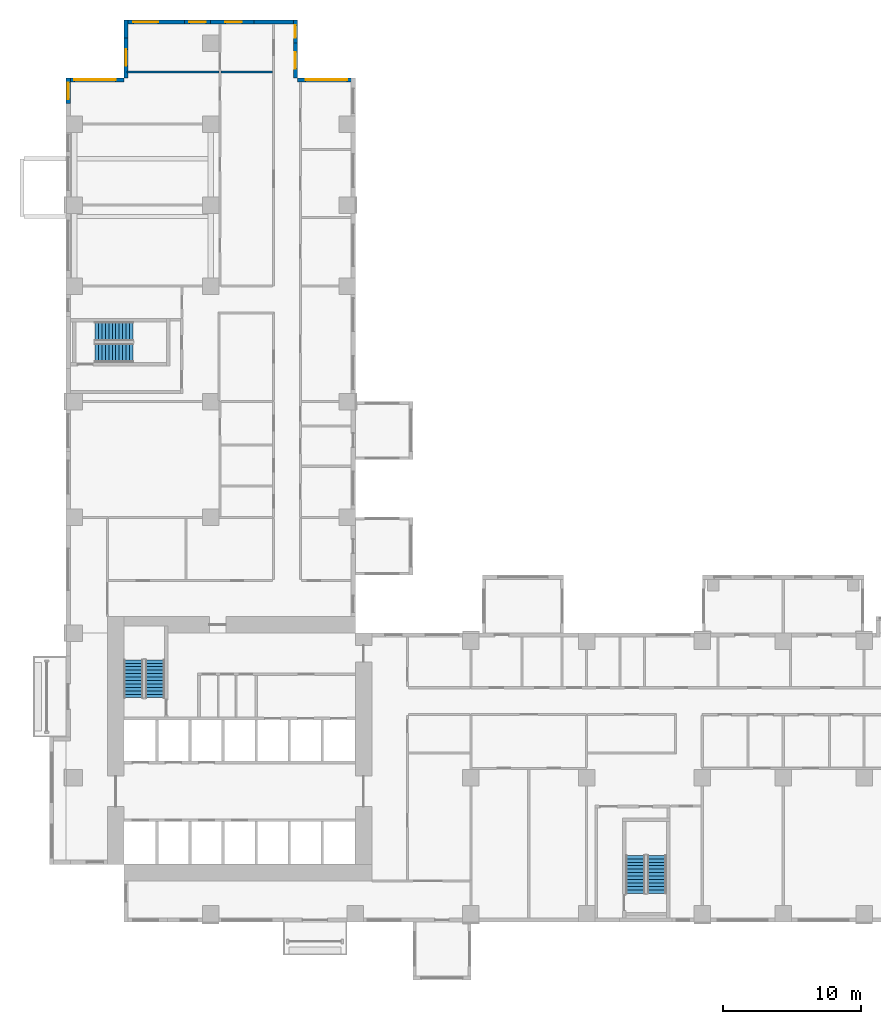
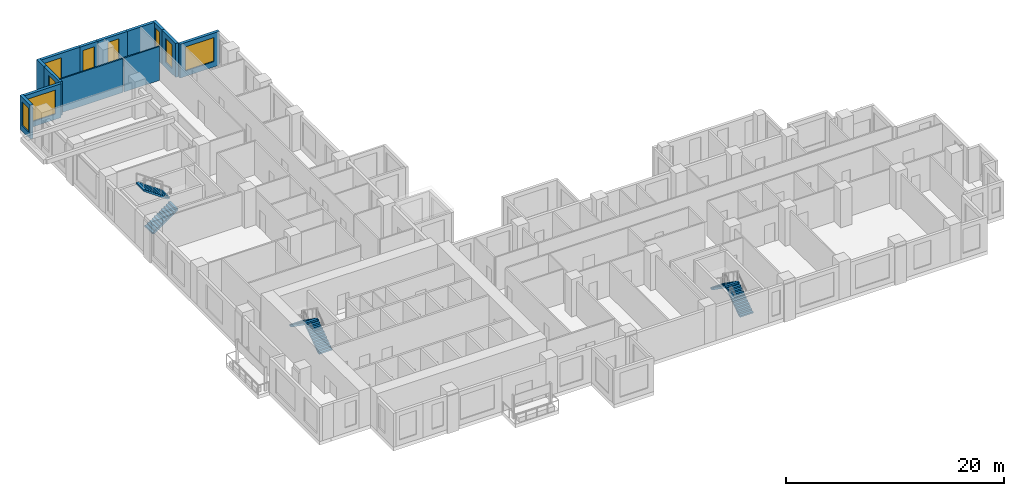
# One storey, part 10 of 15: 13 walls, 9 windows, 6 stair flights, 9 openings, 3 elements without a shape of their own.
"""IFC4 building model written with IfcOpenShell, lengths in metres."""

from ifc_helpers import new_model, si_unit, direction, frame, frame_2d, origin, place, context, subcontext, project, spatial, polyline, rectangle, outline, extrude, source, transform, mapped, material, layer, layer_set, type_object, element, fill, aggregate, save


model = new_model("IFC4")

# Units and contexts
model_context = context("Model", 3, precision=1e-05, world=origin(), true_north=direction((0.0, 1.0)))
body_context = subcontext(model_context, "Body", "Model", "MODEL_VIEW")
ifc_project = project(units=[si_unit("LENGTHUNIT", "METRE"), si_unit("AREAUNIT", "SQUARE_METRE"), si_unit("VOLUMEUNIT", "CUBIC_METRE"), si_unit("PLANEANGLEUNIT", "RADIAN"), si_unit("MASSUNIT", "GRAM", prefix="KILO")], contexts=[model_context])

# Site, building, storey
site_placement = place(None, origin())
site = spatial("IfcSite", under=ifc_project, at=site_placement, CompositionType="ELEMENT")
building_placement = place(site_placement, origin())
building = spatial("IfcBuilding", under=site, at=building_placement, Name="Aurelian Terraces", CompositionType="ELEMENT")
storey_placement = place(building_placement, frame((0.0, 0.0, 65.7)))
storey = spatial("IfcBuildingStorey", under=building, at=storey_placement, Name="L13", CompositionType="ELEMENT", Elevation=65.7)

# Wall, opening, window
ifc_material_1 = material(Name="Terracotta rainscreen cladding", Category="masonry")
ifc_layer_1 = layer(ifc_material_1, 0.3)
ifc_layer_set_1 = layer_set([ifc_layer_1], Name="EW-300")
wall_type_1 = type_object("IfcWallType", Name="EW-300", PredefinedType="STANDARD", material=ifc_layer_set_1)
wall_1_placement = place(storey_placement, frame((10.5, 65.37, 0.0), z_axis=(0.0, 0.0, 1.0), x_axis=(-1.0, 0.0, 0.0)))
wall_1 = element("IfcWall", 1, at=wall_1_placement, inside=storey, type_object=wall_type_1, Name="External wall L13 F11.35", PredefinedType="STANDARD", context=body_context, shape_type="SweptSolid", body=[
    extrude(rectangle(XDim=1.9, YDim=0.3, at=frame_2d((0.95, 0.0))), origin(), (0.0, 0.0, 1.0), 3.8),
])
shared_shape_1 = source(origin(), body_context, "Body", "SweptSolid", [
    extrude(rectangle(XDim=1.2, YDim=2.7, at=frame_2d((0.6, 1.35))), frame((0.0, 0.16, 0.0), z_axis=(0.0, -1.0, 0.0), x_axis=(1.0, 0.0, 0.0)), (0.0, 0.0, 1.0), 0.32),
])
opening_1_placement = place(wall_1_placement, frame((0.35, 0.0, 0.6)))
opening_1 = element("IfcOpeningElement", 2, at=opening_1_placement, cuts=wall_1, Name="Opening W1227", PredefinedType="OPENING", context=body_context, shape_type="MappedRepresentation", body=[
    mapped(shared_shape_1, transform((0.0, 0.0, 0.0), scale=1.0)),
])
ifc_material_2 = material(Name="Clear glazing", Category="glass")
window_type_1 = type_object("IfcWindowType", Name="W-1200x2700", PartitioningType="SINGLE_PANEL", PredefinedType="WINDOW", material=ifc_material_2)
shared_shape_2 = source(origin(), body_context, "Body", "SweptSolid", [
    extrude(rectangle(XDim=1.2, YDim=2.7, at=frame_2d((0.6, 1.35))), frame((0.0, 0.03, 0.0), z_axis=(0.0, -1.0, 0.0), x_axis=(1.0, 0.0, 0.0)), (0.0, 0.0, 1.0), 0.06),
])
window_1_placement = place(opening_1_placement, origin())
window_1 = element("IfcWindow", 3, at=window_1_placement, inside=storey, type_object=window_type_1, Name="Window L13 L13-F11-35-P0", OverallHeight=2.7, OverallWidth=1.2, PartitioningType="SINGLE_PANEL", PredefinedType="WINDOW", context=body_context, shape_type="MappedRepresentation", body=[
    mapped(shared_shape_2, transform((0.0, 0.0, 0.0), scale=1.0)),
])
fill(opening_1, window_1)

ifc_material_3 = material(Name="Concrete fc' 40 MPa", Category="concrete")
ifc_layer_2 = layer(ifc_material_3, 0.3)
ifc_layer_set_2 = layer_set([ifc_layer_2], Name="STAIR BAY WALL 300")
wall_type_2 = type_object("IfcWallType", Name="STAIR BAY WALL 300", PredefinedType="SOLIDWALL", material=ifc_layer_set_2)
wall_2_placement = place(storey_placement, frame((8.6, 65.37, 0.0), z_axis=(0.0, 0.0, 1.0), x_axis=(-1.0, 0.0, 0.0)))
wall_2 = element("IfcWall", 4, at=wall_2_placement, inside=storey, type_object=wall_type_2, Name="Bearing wall L13 F11.35", PredefinedType="SOLIDWALL", context=body_context, shape_type="SweptSolid", body=[
    extrude(rectangle(XDim=4.4, YDim=0.3, at=frame_2d((2.2, 0.0))), origin(), (0.0, 0.0, 1.0), 3.8),
])
shared_shape_3 = source(origin(), body_context, "Body", "SweptSolid", [
    extrude(rectangle(XDim=1.8, YDim=2.7, at=frame_2d((0.9, 1.35))), frame((0.0, 0.16, 0.0), z_axis=(0.0, -1.0, 0.0), x_axis=(1.0, 0.0, 0.0)), (0.0, 0.0, 1.0), 0.32),
])
opening_2_placement = place(wall_2_placement, frame((1.925, 0.0, 0.6)))
opening_2 = element("IfcOpeningElement", 5, at=opening_2_placement, cuts=wall_2, Name="Opening W1827", PredefinedType="OPENING", context=body_context, shape_type="MappedRepresentation", body=[
    mapped(shared_shape_3, transform((0.0, 0.0, 0.0), scale=1.0)),
])
window_type_2 = type_object("IfcWindowType", Name="W-1800x2700", PartitioningType="SINGLE_PANEL", PredefinedType="WINDOW", material=ifc_material_2)
shared_shape_4 = source(origin(), body_context, "Body", "SweptSolid", [
    extrude(rectangle(XDim=1.8, YDim=2.7, at=frame_2d((0.9, 1.35))), frame((0.0, 0.03, 0.0), z_axis=(0.0, -1.0, 0.0), x_axis=(1.0, 0.0, 0.0)), (0.0, 0.0, 1.0), 0.06),
])
window_2_placement = place(opening_2_placement, origin())
window_2 = element("IfcWindow", 6, at=window_2_placement, inside=storey, type_object=window_type_2, Name="Window L13 L13-F11-35-1", OverallHeight=2.7, OverallWidth=1.8, PartitioningType="SINGLE_PANEL", PredefinedType="WINDOW", context=body_context, shape_type="MappedRepresentation", body=[
    mapped(shared_shape_4, transform((0.0, 0.0, 0.0), scale=1.0)),
])
fill(opening_2, window_2)

# Wall
wall_3_placement = place(storey_placement, frame((4.35, 65.52, 0.0), z_axis=(0.0, 0.0, 1.0), x_axis=(0.0, -1.0, 0.0)))
element("IfcWall", 7, at=wall_3_placement, inside=storey, type_object=wall_type_2, Name="Bearing wall L13 F12.36", PredefinedType="SOLIDWALL", context=body_context, shape_type="SweptSolid", body=[
    extrude(rectangle(XDim=1.32, YDim=0.3, at=frame_2d((0.66, 0.0))), origin(), (0.0, 0.0, 1.0), 3.8),
])

# Wall, opening, window
wall_4_placement = place(storey_placement, frame((4.35, 64.2, 0.0), z_axis=(0.0, 0.0, 1.0), x_axis=(0.0, -1.0, 0.0)))
wall_4 = element("IfcWall", 8, at=wall_4_placement, inside=storey, type_object=wall_type_2, Name="Bearing wall L13 F12.36", PredefinedType="SOLIDWALL", context=body_context, shape_type="SweptSolid", body=[
    extrude(rectangle(XDim=2.88, YDim=0.3, at=frame_2d((1.44, 0.0))), origin(), (0.0, 0.0, 1.0), 3.8),
])
opening_3_placement = place(wall_4_placement, frame((0.8125, 0.0, 0.6)))
opening_3 = element("IfcOpeningElement", 9, at=opening_3_placement, cuts=wall_4, Name="Opening W1227", PredefinedType="OPENING", context=body_context, shape_type="MappedRepresentation", body=[
    mapped(shared_shape_1, transform((0.0, 0.0, 0.0), scale=1.0)),
])
window_3_placement = place(opening_3_placement, origin())
window_3 = element("IfcWindow", 10, at=window_3_placement, inside=storey, type_object=window_type_1, Name="Window L13 L13-F12-36-P1", OverallHeight=2.7, OverallWidth=1.2, PartitioningType="SINGLE_PANEL", PredefinedType="WINDOW", context=body_context, shape_type="MappedRepresentation", body=[
    mapped(shared_shape_2, transform((0.0, 0.0, 0.0), scale=1.0)),
])
fill(opening_3, window_3)

wall_5_placement = place(storey_placement, frame((0.15, 61.32, 0.0), z_axis=(0.0, 0.0, 1.0), x_axis=(0.0, -1.0, 0.0)))
wall_5 = element("IfcWall", 11, at=wall_5_placement, inside=storey, type_object=wall_type_2, Name="Bearing wall L13 F14.38", PredefinedType="SOLIDWALL", context=body_context, shape_type="SweptSolid", body=[
    extrude(rectangle(XDim=1.88, YDim=0.3, at=frame_2d((0.94, 0.0))), origin(), (0.0, 0.0, 1.0), 3.8),
])
opening_4_placement = place(wall_5_placement, frame((0.34, 0.0, 0.6)))
opening_4 = element("IfcOpeningElement", 12, at=opening_4_placement, cuts=wall_5, Name="Opening W1227", PredefinedType="OPENING", context=body_context, shape_type="MappedRepresentation", body=[
    mapped(shared_shape_1, transform((0.0, 0.0, 0.0), scale=1.0)),
])
window_4_placement = place(opening_4_placement, origin())
window_4 = element("IfcWindow", 13, at=window_4_placement, inside=storey, type_object=window_type_1, Name="Window L13 L13-F14-38-P0", OverallHeight=2.7, OverallWidth=1.2, PartitioningType="SINGLE_PANEL", PredefinedType="WINDOW", context=body_context, shape_type="MappedRepresentation", body=[
    mapped(shared_shape_2, transform((0.0, 0.0, 0.0), scale=1.0)),
])
fill(opening_4, window_4)

# Wall
shared_shape_5 = source(origin(), body_context, "Body", "SweptSolid", [
    extrude(rectangle(XDim=3.15, YDim=0.3, at=frame_2d((1.575, 0.0))), origin(), (0.0, 0.0, 1.0), 3.8),
])
wall_6_placement = place(storey_placement, frame((16.8, 65.37, 0.0), z_axis=(0.0, 0.0, 1.0), x_axis=(-1.0, 0.0, 0.0)))
element("IfcWall", 14, at=wall_6_placement, inside=storey, type_object=wall_type_1, Name="External wall L13 F11.33", PredefinedType="STANDARD", context=body_context, shape_type="MappedRepresentation", body=[
    mapped(shared_shape_5, transform((0.0, 0.0, 0.0), scale=1.0)),
])

# Wall, opening, window
wall_7_placement = place(storey_placement, frame((13.65, 65.37, 0.0), z_axis=(0.0, 0.0, 1.0), x_axis=(-1.0, 0.0, 0.0)))
wall_7 = element("IfcWall", 15, at=wall_7_placement, inside=storey, type_object=wall_type_1, Name="External wall L13 F11.34", PredefinedType="STANDARD", context=body_context, shape_type="MappedRepresentation", body=[
    mapped(shared_shape_5, transform((0.0, 0.0, 0.0), scale=1.0)),
])
opening_5_placement = place(wall_7_placement, frame((0.8875, 0.0, 0.6)))
opening_5 = element("IfcOpeningElement", 16, at=opening_5_placement, cuts=wall_7, Name="Opening W1227", PredefinedType="OPENING", context=body_context, shape_type="MappedRepresentation", body=[
    mapped(shared_shape_1, transform((0.0, 0.0, 0.0), scale=1.0)),
])
window_5_placement = place(opening_5_placement, origin())
window_5 = element("IfcWindow", 17, at=window_5_placement, inside=storey, type_object=window_type_1, Name="Window L13 L13-F11-34-0", OverallHeight=2.7, OverallWidth=1.2, PartitioningType="SINGLE_PANEL", PredefinedType="WINDOW", context=body_context, shape_type="MappedRepresentation", body=[
    mapped(shared_shape_2, transform((0.0, 0.0, 0.0), scale=1.0)),
])
fill(opening_5, window_5)

shared_shape_6 = source(origin(), body_context, "Body", "SweptSolid", [
    extrude(rectangle(XDim=4.2, YDim=0.3, at=frame_2d((2.1, 0.0))), origin(), (0.0, 0.0, 1.0), 3.8),
])
wall_8_placement = place(storey_placement, frame((21.0, 61.17, 0.0), z_axis=(0.0, 0.0, 1.0), x_axis=(-1.0, 0.0, 0.0)))
wall_8 = element("IfcWall", 18, at=wall_8_placement, inside=storey, type_object=wall_type_1, Name="External wall L13 F09.30", PredefinedType="STANDARD", context=body_context, shape_type="MappedRepresentation", body=[
    mapped(shared_shape_6, transform((0.0, 0.0, 0.0), scale=1.0)),
])
shared_shape_7 = source(origin(), body_context, "Body", "SweptSolid", [
    extrude(rectangle(XDim=3.0, YDim=2.7, at=frame_2d((1.5, 1.35))), frame((0.0, 0.16, 0.0), z_axis=(0.0, -1.0, 0.0), x_axis=(1.0, 0.0, 0.0)), (0.0, 0.0, 1.0), 0.32),
])
opening_6_placement = place(wall_8_placement, frame((0.6, 0.0, 0.6)))
opening_6 = element("IfcOpeningElement", 19, at=opening_6_placement, cuts=wall_8, Name="Opening W3027", PredefinedType="OPENING", context=body_context, shape_type="MappedRepresentation", body=[
    mapped(shared_shape_7, transform((0.0, 0.0, 0.0), scale=1.0)),
])
window_type_3 = type_object("IfcWindowType", Name="W-3000x2700", PartitioningType="SINGLE_PANEL", PredefinedType="WINDOW", material=ifc_material_2)
shared_shape_8 = source(origin(), body_context, "Body", "SweptSolid", [
    extrude(rectangle(XDim=3.0, YDim=2.7, at=frame_2d((1.5, 1.35))), frame((0.0, 0.03, 0.0), z_axis=(0.0, -1.0, 0.0), x_axis=(1.0, 0.0, 0.0)), (0.0, 0.0, 1.0), 0.06),
])
window_6_placement = place(opening_6_placement, origin())
window_6 = element("IfcWindow", 20, at=window_6_placement, inside=storey, type_object=window_type_3, Name="Window L13 L13-F09-30-0", OverallHeight=2.7, OverallWidth=3.0, PartitioningType="SINGLE_PANEL", PredefinedType="WINDOW", context=body_context, shape_type="MappedRepresentation", body=[
    mapped(shared_shape_8, transform((0.0, 0.0, 0.0), scale=1.0)),
])
fill(opening_6, window_6)

shared_shape_9 = source(origin(), body_context, "Body", "SweptSolid", [
    extrude(rectangle(XDim=2.52, YDim=0.3, at=frame_2d((1.26, 0.0))), origin(), (0.0, 0.0, 1.0), 3.8),
])
wall_9_placement = place(storey_placement, frame((16.65, 61.32, 0.0), z_axis=(0.0, 0.0, 1.0), x_axis=(0.0, 1.0, 0.0)))
wall_9 = element("IfcWall", 21, at=wall_9_placement, inside=storey, type_object=wall_type_1, Name="External wall L13 F10.31", PredefinedType="STANDARD", context=body_context, shape_type="MappedRepresentation", body=[
    mapped(shared_shape_9, transform((0.0, 0.0, 0.0), scale=1.0)),
])
opening_7_placement = place(wall_9_placement, frame((0.66, 0.0, 0.6)))
opening_7 = element("IfcOpeningElement", 22, at=opening_7_placement, cuts=wall_9, Name="Opening W1227", PredefinedType="OPENING", context=body_context, shape_type="MappedRepresentation", body=[
    mapped(shared_shape_1, transform((0.0, 0.0, 0.0), scale=1.0)),
])
window_7_placement = place(opening_7_placement, origin())
window_7 = element("IfcWindow", 23, at=window_7_placement, inside=storey, type_object=window_type_1, Name="Window L13 L13-F10-31-0", OverallHeight=2.7, OverallWidth=1.2, PartitioningType="SINGLE_PANEL", PredefinedType="WINDOW", context=body_context, shape_type="MappedRepresentation", body=[
    mapped(shared_shape_2, transform((0.0, 0.0, 0.0), scale=1.0)),
])
fill(opening_7, window_7)

shared_shape_10 = source(origin(), body_context, "Body", "SweptSolid", [
    extrude(rectangle(XDim=1.68, YDim=0.3, at=frame_2d((0.84, 0.0))), origin(), (0.0, 0.0, 1.0), 3.8),
])
wall_10_placement = place(storey_placement, frame((16.65, 63.84, 0.0), z_axis=(0.0, 0.0, 1.0), x_axis=(0.0, 1.0, 0.0)))
wall_10 = element("IfcWall", 24, at=wall_10_placement, inside=storey, type_object=wall_type_1, Name="External wall L13 F10.32", PredefinedType="STANDARD", context=body_context, shape_type="MappedRepresentation", body=[
    mapped(shared_shape_10, transform((0.0, 0.0, 0.0), scale=1.0)),
])
shared_shape_11 = source(origin(), body_context, "Body", "SweptSolid", [
    extrude(rectangle(XDim=0.9, YDim=2.7, at=frame_2d((0.45, 1.35))), frame((0.0, 0.16, 0.0), z_axis=(0.0, -1.0, 0.0), x_axis=(1.0, 0.0, 0.0)), (0.0, 0.0, 1.0), 0.32),
])
opening_8_placement = place(wall_10_placement, frame((0.39, 0.0, 0.6)))
opening_8 = element("IfcOpeningElement", 25, at=opening_8_placement, cuts=wall_10, Name="Opening W0927", PredefinedType="OPENING", context=body_context, shape_type="MappedRepresentation", body=[
    mapped(shared_shape_11, transform((0.0, 0.0, 0.0), scale=1.0)),
])
window_type_4 = type_object("IfcWindowType", Name="W-900x2700", PartitioningType="SINGLE_PANEL", PredefinedType="WINDOW", material=ifc_material_2)
shared_shape_12 = source(origin(), body_context, "Body", "SweptSolid", [
    extrude(rectangle(XDim=0.9, YDim=2.7, at=frame_2d((0.45, 1.35))), frame((0.0, 0.03, 0.0), z_axis=(0.0, -1.0, 0.0), x_axis=(1.0, 0.0, 0.0)), (0.0, 0.0, 1.0), 0.06),
])
window_8_placement = place(opening_8_placement, origin())
window_8 = element("IfcWindow", 26, at=window_8_placement, inside=storey, type_object=window_type_4, Name="Window L13 L13-F10-32-P0", OverallHeight=2.7, OverallWidth=0.9, PartitioningType="SINGLE_PANEL", PredefinedType="WINDOW", context=body_context, shape_type="MappedRepresentation", body=[
    mapped(shared_shape_12, transform((0.0, 0.0, 0.0), scale=1.0)),
])
fill(opening_8, window_8)

shared_shape_13 = source(origin(), body_context, "Body", "SweptSolid", [
    extrude(rectangle(XDim=4.2, YDim=0.3, at=frame_2d((2.1, 0.0))), origin(), (0.0, 0.0, 1.0), 3.8),
])
wall_11_placement = place(storey_placement, frame((4.2, 61.17, 0.0), z_axis=(0.0, 0.0, 1.0), x_axis=(-1.0, 0.0, 0.0)))
wall_11 = element("IfcWall", 27, at=wall_11_placement, inside=storey, type_object=wall_type_2, Name="Bearing wall L13 F13.37", PredefinedType="SOLIDWALL", context=body_context, shape_type="MappedRepresentation", body=[
    mapped(shared_shape_13, transform((0.0, 0.0, 0.0), scale=1.0)),
])
opening_9_placement = place(wall_11_placement, frame((0.6, 0.0, 0.6)))
opening_9 = element("IfcOpeningElement", 28, at=opening_9_placement, cuts=wall_11, Name="Opening W3027", PredefinedType="OPENING", context=body_context, shape_type="MappedRepresentation", body=[
    mapped(shared_shape_7, transform((0.0, 0.0, 0.0), scale=1.0)),
])
window_9_placement = place(opening_9_placement, origin())
window_9 = element("IfcWindow", 29, at=window_9_placement, inside=storey, type_object=window_type_3, Name="Window L13 L13-F13-37-0", OverallHeight=2.7, OverallWidth=3.0, PartitioningType="SINGLE_PANEL", PredefinedType="WINDOW", context=body_context, shape_type="MappedRepresentation", body=[
    mapped(shared_shape_8, transform((0.0, 0.0, 0.0), scale=1.0)),
])
fill(opening_9, window_9)

# Walls
ifc_material_4 = material(Name="Gypsum board on steel studs", Category="steel")
ifc_layer_3 = layer(ifc_material_4, 0.15)
ifc_layer_set_3 = layer_set([ifc_layer_3], Name="Partition 150")
wall_type_3 = type_object("IfcWallType", Name="Partition 150", PredefinedType="PARTITIONING", material=ifc_layer_set_3)
shared_shape_14 = source(origin(), body_context, "Body", "SweptSolid", [
    extrude(rectangle(XDim=3.75, YDim=0.15, at=frame_2d((1.875, 0.0))), origin(), (0.0, 0.0, 1.0), 3.8),
])
wall_12_placement = place(storey_placement, frame((15.0, 61.74, 0.0), z_axis=(0.0, 0.0, 1.0), x_axis=(-1.0, 0.0, 0.0)))
element("IfcWall", 30, at=wall_12_placement, inside=storey, type_object=wall_type_3, Name="Partition", PredefinedType="PARTITIONING", context=body_context, shape_type="MappedRepresentation", body=[
    mapped(shared_shape_14, transform((0.0, 0.0, 0.0), scale=1.0)),
])
shared_shape_15 = source(origin(), body_context, "Body", "SweptSolid", [
    extrude(rectangle(XDim=6.695, YDim=0.15, at=frame_2d((3.3475, 0.0))), origin(), (0.0, 0.0, 1.0), 3.8),
])
wall_13_placement = place(storey_placement, frame((11.1, 61.74, 0.0), z_axis=(0.0, 0.0, 1.0), x_axis=(-1.0, 0.0, 0.0)))
element("IfcWall", 31, at=wall_13_placement, inside=storey, type_object=wall_type_3, Name="Partition", PredefinedType="PARTITIONING", context=body_context, shape_type="MappedRepresentation", body=[
    mapped(shared_shape_15, transform((0.0, 0.0, 0.0), scale=1.0)),
])

# Stair, stair flights
stair_type = type_object("IfcStairType", Name="Stair 1400", PredefinedType="HALF_TURN_STAIR", material=ifc_material_3)
stair_1_placement = place(storey_placement, origin())
stair_1 = element("IfcStair", 32, at=stair_1_placement, inside=storey, type_object=stair_type, Name="L13 S1", PredefinedType="HALF_TURN_STAIR")
stair_flight_type = type_object("IfcStairFlightType", Name="Stair flight 1400", PredefinedType="STRAIGHT", material=ifc_material_3)
shared_shape_16 = source(origin(), body_context, "Body", "SweptSolid", [
    extrude(outline(polyline([(0.0, 0.0), (0.0, 0.175), (0.25, 0.175), (0.25, 0.35), (0.5, 0.35), (0.5, 0.525), (0.75, 0.525), (0.75, 0.7), (1.0, 0.7), (1.0, 0.875), (1.25, 0.875), (1.25, 1.05), (1.5, 1.05), (1.5, 1.225), (1.75, 1.225), (1.75, 1.4), (2.0, 1.4), (2.0, 1.575), (2.25, 1.575), (2.25, 1.75), (2.5, 1.75), (2.5, 1.925), (2.75, 1.925), (2.75, 2.1), (2.75, 1.7419), (0.2616, 0.0), (0.0, 0.0)])), frame((0.0, 0.7, 0.0), z_axis=(0.0, -1.0, 0.0), x_axis=(1.0, 0.0, 0.0)), (0.0, 0.0, 1.0), 1.4),
])
stair_flight_1_placement = place(storey_placement, frame((6.45, 16.3, 2e-08), z_axis=(0.0, 0.0, 1.0), x_axis=(0.0, 1.0, 0.0)))
stair_flight_1 = element("IfcStairFlight", 33, at=stair_flight_1_placement, type_object=stair_flight_type, Name="S1 flight 1", NumberOfRisers=12, NumberOfTreads=11, PredefinedType="STRAIGHT", RiserHeight=0.175, TreadLength=0.25, context=body_context, shape_type="MappedRepresentation", body=[
    mapped(shared_shape_16, transform((0.0, 0.0, 0.0), scale=1.0)),
])
stair_flight_2_placement = place(storey_placement, frame((4.9, 19.05, 2.100000019999994), z_axis=(0.0, 0.0, 1.0), x_axis=(0.0, -1.0, 0.0)))
stair_flight_2 = element("IfcStairFlight", 34, at=stair_flight_2_placement, type_object=stair_flight_type, Name="S1 flight 2", NumberOfRisers=12, NumberOfTreads=11, PredefinedType="STRAIGHT", RiserHeight=0.175, TreadLength=0.25, context=body_context, shape_type="MappedRepresentation", body=[
    mapped(shared_shape_16, transform((0.0, 0.0, 0.0), scale=1.0)),
])
aggregate(stair_1, [stair_flight_1, stair_flight_2])

stair_2_placement = place(storey_placement, origin())
stair_2 = element("IfcStair", 35, at=stair_2_placement, inside=storey, type_object=stair_type, Name="L13 S2", PredefinedType="HALF_TURN_STAIR")
stair_flight_3_placement = place(storey_placement, frame((42.9, 2.1, 2e-08), z_axis=(0.0, 0.0, 1.0), x_axis=(0.0, 1.0, 0.0)))
stair_flight_3 = element("IfcStairFlight", 36, at=stair_flight_3_placement, type_object=stair_flight_type, Name="S2 flight 1", NumberOfRisers=12, NumberOfTreads=11, PredefinedType="STRAIGHT", RiserHeight=0.175, TreadLength=0.25, context=body_context, shape_type="MappedRepresentation", body=[
    mapped(shared_shape_16, transform((0.0, 0.0, 0.0), scale=1.0)),
])
stair_flight_4_placement = place(storey_placement, frame((41.35, 4.85, 2.100000019999994), z_axis=(0.0, 0.0, 1.0), x_axis=(0.0, -1.0, 0.0)))
stair_flight_4 = element("IfcStairFlight", 37, at=stair_flight_4_placement, type_object=stair_flight_type, Name="S2 flight 2", NumberOfRisers=12, NumberOfTreads=11, PredefinedType="STRAIGHT", RiserHeight=0.175, TreadLength=0.25, context=body_context, shape_type="MappedRepresentation", body=[
    mapped(shared_shape_16, transform((0.0, 0.0, 0.0), scale=1.0)),
])
aggregate(stair_2, [stair_flight_3, stair_flight_4])

stair_3_placement = place(storey_placement, origin())
stair_3 = element("IfcStair", 38, at=stair_3_placement, inside=storey, type_object=stair_type, Name="L13 S3", PredefinedType="HALF_TURN_STAIR")
stair_flight_5_placement = place(storey_placement, frame((2.1, 41.35, 2e-08), z_axis=(0.0, 0.0, 1.0), x_axis=(1.0, 0.0, 0.0)))
stair_flight_5 = element("IfcStairFlight", 39, at=stair_flight_5_placement, type_object=stair_flight_type, Name="S3 flight 1", NumberOfRisers=12, NumberOfTreads=11, PredefinedType="STRAIGHT", RiserHeight=0.175, TreadLength=0.25, context=body_context, shape_type="MappedRepresentation", body=[
    mapped(shared_shape_16, transform((0.0, 0.0, 0.0), scale=1.0)),
])
stair_flight_6_placement = place(storey_placement, frame((4.85, 42.9, 2.100000019999994), z_axis=(0.0, 0.0, 1.0), x_axis=(-1.0, 0.0, 0.0)))
stair_flight_6 = element("IfcStairFlight", 40, at=stair_flight_6_placement, type_object=stair_flight_type, Name="S3 flight 2", NumberOfRisers=12, NumberOfTreads=11, PredefinedType="STRAIGHT", RiserHeight=0.175, TreadLength=0.25, context=body_context, shape_type="MappedRepresentation", body=[
    mapped(shared_shape_16, transform((0.0, 0.0, 0.0), scale=1.0)),
])
aggregate(stair_3, [stair_flight_5, stair_flight_6])

save(model, "model.ifc")
